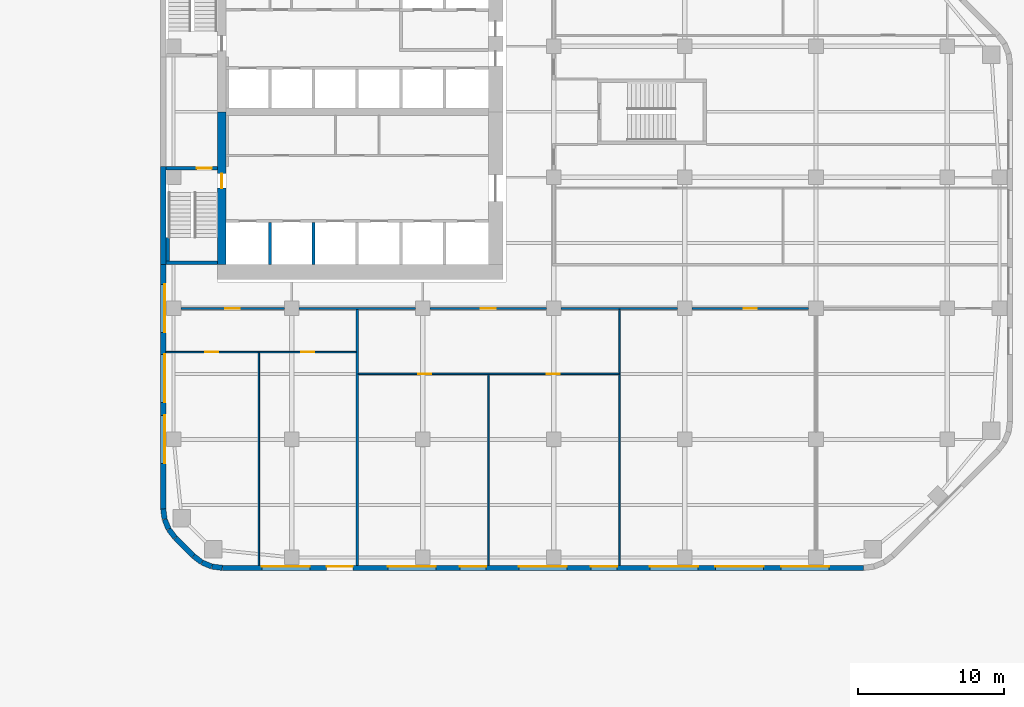
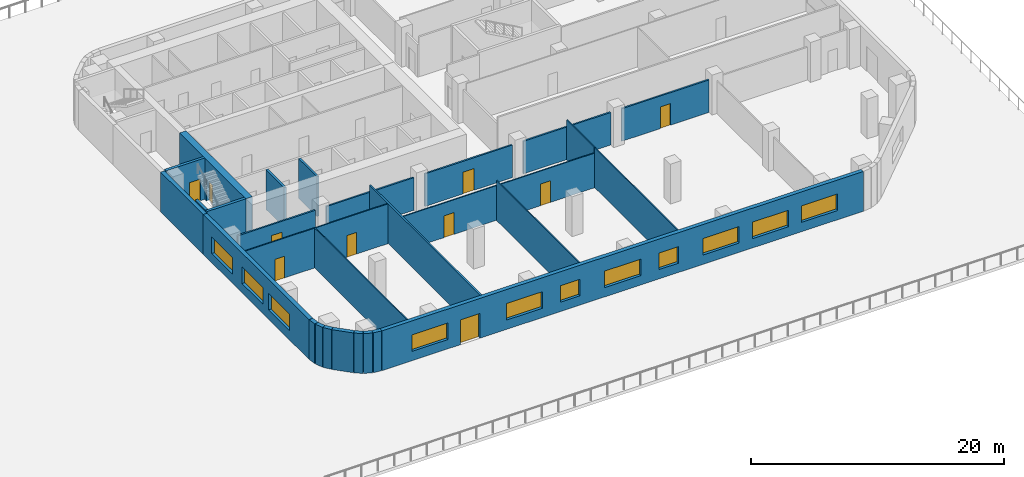
# One storey, part 9 of 18: 29 walls, 11 windows, 10 doors, 21 openings.
"""IFC4 building model written with IfcOpenShell, lengths in metres."""

from ifc_helpers import new_model, si_unit, direction, frame, frame_2d, origin, place, context, subcontext, project, spatial, rectangle, extrude, material, layer, layer_set, type_object, element, fill, save


model = new_model("IFC4")

# Units and contexts
model_context = context("Model", 3, precision=1e-05, world=origin(), true_north=direction((0.0, 1.0)))
body_context = subcontext(model_context, "Body", "Model", "MODEL_VIEW")
ifc_project = project(units=[si_unit("LENGTHUNIT", "METRE"), si_unit("AREAUNIT", "SQUARE_METRE"), si_unit("VOLUMEUNIT", "CUBIC_METRE"), si_unit("PLANEANGLEUNIT", "RADIAN"), si_unit("MASSUNIT", "GRAM", prefix="KILO")], contexts=[model_context])

# Site, building, storey
site_placement = place(None, origin())
site = spatial("IfcSite", under=ifc_project, at=site_placement, CompositionType="ELEMENT")
building_placement = place(site_placement, origin())
building = spatial("IfcBuilding", under=site, at=building_placement, Name="Cinnabar Reach Civic Tower", CompositionType="ELEMENT")
storey_placement = place(building_placement, frame((0.0, 0.0, 26.0)))
storey = spatial("IfcBuildingStorey", under=building, at=storey_placement, Name="L05", CompositionType="ELEMENT", Elevation=26.0)

# Walls
ifc_material_1 = material(Name="Facing brick with insulated backing", Category="masonry")
ifc_layer_1 = layer(ifc_material_1, 0.36)
ifc_layer_set_1 = layer_set([ifc_layer_1], Name="Brick corner wall")
wall_type_1 = type_object("IfcWallType", Name="Brick corner wall", PredefinedType="STANDARD", material=ifc_layer_set_1)
for number, where, z_axis, x_axis, name in (
    (1, (0.183, 4.2314, 0.0), (0.0, 0.0, 1.0), (0.13055608231, -0.99144092581, 0.0), "Brick corner wall"),
    (2, (0.2819, 3.5027, 0.0), (0.0, 0.0, 1.0), (0.382702709855, -0.923871547278, 0.0), "Brick corner wall"),
):
    element("IfcWall", number, at=place(storey_placement, frame(where, z_axis=z_axis, x_axis=x_axis)), inside=storey, type_object=wall_type_1, Name=name, PredefinedType="STANDARD", context=body_context, shape_type="SweptSolid", body=[
        extrude(rectangle(XDim=0.7131, YDim=0.36, at=frame_2d((0.3565, 0.0))), origin(), (0.0, 0.0, 1.0), 3.85),
    ])
for number, where, z_axis, x_axis, name in (
    (3, (0.566, 2.8245, 0.0), (0.0, 0.0, 1.0), (0.608802368033, -0.793321924995, 0.0), "Brick corner wall"),
    (4, (2.2587, 1.0002, 0.0), (0.0, 0.0, 1.0), (0.793321924995, -0.608802368033, 0.0), "Brick corner wall"),
):
    element("IfcWall", number, at=place(storey_placement, frame(where, z_axis=z_axis, x_axis=x_axis)), inside=storey, type_object=wall_type_1, Name=name, PredefinedType="STANDARD", context=body_context, shape_type="SweptSolid", body=[
        extrude(rectangle(XDim=0.7132, YDim=0.36, at=frame_2d((0.3566, 0.0))), origin(), (0.0, 0.0, 1.0), 3.85),
    ])
for number, where, z_axis, x_axis, name in (
    (5, (2.8439, 0.5548, 0.0), (0.0, 0.0, 1.0), (0.923871547278, -0.382702709855, 0.0), "Brick corner wall"),
    (6, (3.5244, 0.2761, 0.0), (0.0, 0.0, 1.0), (0.99144092581, -0.13055608231, 0.0), "Brick corner wall"),
):
    element("IfcWall", number, at=place(storey_placement, frame(where, z_axis=z_axis, x_axis=x_axis)), inside=storey, type_object=wall_type_1, Name=name, PredefinedType="STANDARD", context=body_context, shape_type="SweptSolid", body=[
        extrude(rectangle(XDim=0.7131, YDim=0.36, at=frame_2d((0.3565, 0.0))), origin(), (0.0, 0.0, 1.0), 3.85),
    ])

# Wall, openings, windows, door
ifc_layer_2 = layer(ifc_material_1, 0.36)
ifc_layer_set_2 = layer_set([ifc_layer_2], Name="Brick pier and spandrel wall")
wall_type_2 = type_object("IfcWallType", Name="Brick pier and spandrel wall", PredefinedType="STANDARD", material=ifc_layer_set_2)
wall_1_placement = place(storey_placement, frame((4.2426, 0.18, 0.0), z_axis=(0.0, 0.0, 1.0), x_axis=(1.0, 0.0, 0.0)))
wall_1 = element("IfcWall", 7, at=wall_1_placement, inside=storey, type_object=wall_type_2, Name="Brick facade wall", PredefinedType="STANDARD", context=body_context, shape_type="SweptSolid", body=[
    extrude(rectangle(XDim=44.0148, YDim=0.36, at=frame_2d((22.0074, 0.0))), origin(), (0.0, 0.0, 1.0), 3.85),
])
opening_1_placement = place(wall_1_placement, frame((2.7074, 0.0, 0.9)))
opening_1 = element("IfcOpeningElement", 8, at=opening_1_placement, cuts=wall_1, Name="Opening W1000", PredefinedType="OPENING", context=body_context, shape_type="SweptSolid", body=[
    extrude(rectangle(XDim=3.3, YDim=1.6, at=frame_2d((1.65, 0.8))), frame((0.0, 0.19, 0.0), z_axis=(0.0, -1.0, 0.0), x_axis=(1.0, 0.0, 0.0)), (0.0, 0.0, 1.0), 0.38),
])
opening_2_placement = place(wall_1_placement, frame((7.1574, 0.0, 0.0)))
opening_2 = element("IfcOpeningElement", 9, at=opening_2_placement, cuts=wall_1, Name="Opening D7500", PredefinedType="OPENING", context=body_context, shape_type="SweptSolid", body=[
    extrude(rectangle(XDim=1.8, YDim=2.4, at=frame_2d((0.9, 1.2))), frame((0.0, 0.19, 0.0), z_axis=(0.0, -1.0, 0.0), x_axis=(1.0, 0.0, 0.0)), (0.0, 0.0, 1.0), 0.38),
])
opening_3_placement = place(wall_1_placement, frame((11.3574, 0.0, 0.9)))
opening_3 = element("IfcOpeningElement", 10, at=opening_3_placement, cuts=wall_1, Name="Opening W1001", PredefinedType="OPENING", context=body_context, shape_type="SweptSolid", body=[
    extrude(rectangle(XDim=3.3, YDim=1.6, at=frame_2d((1.65, 0.8))), frame((0.0, 0.19, 0.0), z_axis=(0.0, -1.0, 0.0), x_axis=(1.0, 0.0, 0.0)), (0.0, 0.0, 1.0), 0.38),
])
opening_4_placement = place(wall_1_placement, frame((16.3074, 0.0, 0.9)))
opening_4 = element("IfcOpeningElement", 11, at=opening_4_placement, cuts=wall_1, Name="Opening W1002", PredefinedType="OPENING", context=body_context, shape_type="SweptSolid", body=[
    extrude(rectangle(XDim=1.8, YDim=1.6, at=frame_2d((0.9, 0.8))), frame((0.0, 0.19, 0.0), z_axis=(0.0, -1.0, 0.0), x_axis=(1.0, 0.0, 0.0)), (0.0, 0.0, 1.0), 0.38),
])
opening_5_placement = place(wall_1_placement, frame((20.3574, 0.0, 0.9)))
opening_5 = element("IfcOpeningElement", 12, at=opening_5_placement, cuts=wall_1, Name="Opening W1003", PredefinedType="OPENING", context=body_context, shape_type="SweptSolid", body=[
    extrude(rectangle(XDim=3.3, YDim=1.6, at=frame_2d((1.65, 0.8))), frame((0.0, 0.19, 0.0), z_axis=(0.0, -1.0, 0.0), x_axis=(1.0, 0.0, 0.0)), (0.0, 0.0, 1.0), 0.38),
])
opening_6_placement = place(wall_1_placement, frame((25.3074, 0.0, 0.9)))
opening_6 = element("IfcOpeningElement", 13, at=opening_6_placement, cuts=wall_1, Name="Opening W1004", PredefinedType="OPENING", context=body_context, shape_type="SweptSolid", body=[
    extrude(rectangle(XDim=1.8, YDim=1.6, at=frame_2d((0.9, 0.8))), frame((0.0, 0.19, 0.0), z_axis=(0.0, -1.0, 0.0), x_axis=(1.0, 0.0, 0.0)), (0.0, 0.0, 1.0), 0.38),
])
opening_7_placement = place(wall_1_placement, frame((29.3574, 0.0, 0.9)))
opening_7 = element("IfcOpeningElement", 14, at=opening_7_placement, cuts=wall_1, Name="Opening W1005", PredefinedType="OPENING", context=body_context, shape_type="SweptSolid", body=[
    extrude(rectangle(XDim=3.3, YDim=1.6, at=frame_2d((1.65, 0.8))), frame((0.0, 0.19, 0.0), z_axis=(0.0, -1.0, 0.0), x_axis=(1.0, 0.0, 0.0)), (0.0, 0.0, 1.0), 0.38),
])
opening_8_placement = place(wall_1_placement, frame((33.8574, 0.0, 0.9)))
opening_8 = element("IfcOpeningElement", 15, at=opening_8_placement, cuts=wall_1, Name="Opening W1006", PredefinedType="OPENING", context=body_context, shape_type="SweptSolid", body=[
    extrude(rectangle(XDim=3.3, YDim=1.6, at=frame_2d((1.65, 0.8))), frame((0.0, 0.19, 0.0), z_axis=(0.0, -1.0, 0.0), x_axis=(1.0, 0.0, 0.0)), (0.0, 0.0, 1.0), 0.38),
])
opening_9_placement = place(wall_1_placement, frame((38.3574, 0.0, 0.9)))
opening_9 = element("IfcOpeningElement", 16, at=opening_9_placement, cuts=wall_1, Name="Opening W1007", PredefinedType="OPENING", context=body_context, shape_type="SweptSolid", body=[
    extrude(rectangle(XDim=3.3, YDim=1.6, at=frame_2d((1.65, 0.8))), frame((0.0, 0.19, 0.0), z_axis=(0.0, -1.0, 0.0), x_axis=(1.0, 0.0, 0.0)), (0.0, 0.0, 1.0), 0.38),
])
ifc_material_2 = material(Name="Clear double glazing in aluminium frame", Category="aluminium")
window_type_1 = type_object("IfcWindowType", Name="Deep-set window A", PartitioningType="SINGLE_PANEL", PredefinedType="WINDOW", material=ifc_material_2)
window_1_placement = place(opening_1_placement, origin())
window_1 = element("IfcWindow", 17, at=window_1_placement, inside=storey, type_object=window_type_1, Name="Window south face", OverallHeight=1.6, OverallWidth=3.3, PartitioningType="SINGLE_PANEL", PredefinedType="WINDOW", context=body_context, shape_type="SweptSolid", body=[
    extrude(rectangle(XDim=3.3, YDim=1.6, at=frame_2d((1.65, 0.8))), frame((0.0, 0.13, 0.0), z_axis=(0.0, -1.0, 0.0), x_axis=(1.0, 0.0, 0.0)), (0.0, 0.0, 1.0), 0.06),
])
fill(opening_1, window_1)
window_2_placement = place(opening_3_placement, origin())
window_2 = element("IfcWindow", 18, at=window_2_placement, inside=storey, type_object=window_type_1, Name="Window south face", OverallHeight=1.6, OverallWidth=3.3, PartitioningType="SINGLE_PANEL", PredefinedType="WINDOW", context=body_context, shape_type="SweptSolid", body=[
    extrude(rectangle(XDim=3.3, YDim=1.6, at=frame_2d((1.65, 0.8))), frame((0.0, 0.13, 0.0), z_axis=(0.0, -1.0, 0.0), x_axis=(1.0, 0.0, 0.0)), (0.0, 0.0, 1.0), 0.06),
])
fill(opening_3, window_2)
window_3_placement = place(opening_5_placement, origin())
window_3 = element("IfcWindow", 19, at=window_3_placement, inside=storey, type_object=window_type_1, Name="Window south face", OverallHeight=1.6, OverallWidth=3.3, PartitioningType="SINGLE_PANEL", PredefinedType="WINDOW", context=body_context, shape_type="SweptSolid", body=[
    extrude(rectangle(XDim=3.3, YDim=1.6, at=frame_2d((1.65, 0.8))), frame((0.0, 0.13, 0.0), z_axis=(0.0, -1.0, 0.0), x_axis=(1.0, 0.0, 0.0)), (0.0, 0.0, 1.0), 0.06),
])
fill(opening_5, window_3)
window_4_placement = place(opening_7_placement, origin())
window_4 = element("IfcWindow", 20, at=window_4_placement, inside=storey, type_object=window_type_1, Name="Window south face", OverallHeight=1.6, OverallWidth=3.3, PartitioningType="SINGLE_PANEL", PredefinedType="WINDOW", context=body_context, shape_type="SweptSolid", body=[
    extrude(rectangle(XDim=3.3, YDim=1.6, at=frame_2d((1.65, 0.8))), frame((0.0, 0.13, 0.0), z_axis=(0.0, -1.0, 0.0), x_axis=(1.0, 0.0, 0.0)), (0.0, 0.0, 1.0), 0.06),
])
fill(opening_7, window_4)
window_5_placement = place(opening_8_placement, origin())
window_5 = element("IfcWindow", 21, at=window_5_placement, inside=storey, type_object=window_type_1, Name="Window south face", OverallHeight=1.6, OverallWidth=3.3, PartitioningType="SINGLE_PANEL", PredefinedType="WINDOW", context=body_context, shape_type="SweptSolid", body=[
    extrude(rectangle(XDim=3.3, YDim=1.6, at=frame_2d((1.65, 0.8))), frame((0.0, 0.13, 0.0), z_axis=(0.0, -1.0, 0.0), x_axis=(1.0, 0.0, 0.0)), (0.0, 0.0, 1.0), 0.06),
])
fill(opening_8, window_5)
window_6_placement = place(opening_9_placement, origin())
window_6 = element("IfcWindow", 22, at=window_6_placement, inside=storey, type_object=window_type_1, Name="Window south face", OverallHeight=1.6, OverallWidth=3.3, PartitioningType="SINGLE_PANEL", PredefinedType="WINDOW", context=body_context, shape_type="SweptSolid", body=[
    extrude(rectangle(XDim=3.3, YDim=1.6, at=frame_2d((1.65, 0.8))), frame((0.0, 0.13, 0.0), z_axis=(0.0, -1.0, 0.0), x_axis=(1.0, 0.0, 0.0)), (0.0, 0.0, 1.0), 0.06),
])
fill(opening_9, window_6)
window_type_2 = type_object("IfcWindowType", Name="Deep-set window D", PartitioningType="SINGLE_PANEL", PredefinedType="WINDOW", material=ifc_material_2)
window_7_placement = place(opening_4_placement, origin())
window_7 = element("IfcWindow", 23, at=window_7_placement, inside=storey, type_object=window_type_2, Name="Window south face", OverallHeight=1.6, OverallWidth=1.8, PartitioningType="SINGLE_PANEL", PredefinedType="WINDOW", context=body_context, shape_type="SweptSolid", body=[
    extrude(rectangle(XDim=1.8, YDim=1.6, at=frame_2d((0.9, 0.8))), frame((0.0, 0.13, 0.0), z_axis=(0.0, -1.0, 0.0), x_axis=(1.0, 0.0, 0.0)), (0.0, 0.0, 1.0), 0.06),
])
fill(opening_4, window_7)
window_8_placement = place(opening_6_placement, origin())
window_8 = element("IfcWindow", 24, at=window_8_placement, inside=storey, type_object=window_type_2, Name="Window south face", OverallHeight=1.6, OverallWidth=1.8, PartitioningType="SINGLE_PANEL", PredefinedType="WINDOW", context=body_context, shape_type="SweptSolid", body=[
    extrude(rectangle(XDim=1.8, YDim=1.6, at=frame_2d((0.9, 0.8))), frame((0.0, 0.13, 0.0), z_axis=(0.0, -1.0, 0.0), x_axis=(1.0, 0.0, 0.0)), (0.0, 0.0, 1.0), 0.06),
])
fill(opening_6, window_8)
ifc_material_3 = material(Name="Clear glazing in aluminium frame", Category="aluminium")
door_type_1 = type_object("IfcDoorType", Name="Facade terrace double door", OperationType="SINGLE_SWING_LEFT", PredefinedType="DOOR", material=ifc_material_3)
door_1_placement = place(opening_2_placement, frame((1.8, 0.0, 0.0), z_axis=(0.0, 0.0, 1.0), x_axis=(-1.0, 0.0, 0.0)))
door_1 = element("IfcDoor", 25, at=door_1_placement, inside=storey, type_object=door_type_1, Name="Terrace door", OperationType="DOUBLE_DOOR_SINGLE_SWING", OverallHeight=2.4, OverallWidth=1.8, PredefinedType="DOOR", context=body_context, shape_type="SweptSolid", body=[
    extrude(rectangle(XDim=1.8, YDim=2.4, at=frame_2d((0.9, 1.2))), frame((0.0, -0.07, 0.0), z_axis=(0.0, -1.0, 0.0), x_axis=(1.0, 0.0, 0.0)), (0.0, 0.0, 1.0), 0.05),
])
fill(opening_2, door_1)

# Wall
wall_2_placement = place(storey_placement, frame((0.18, 27.75, 0.0), z_axis=(0.0, 0.0, 1.0), x_axis=(0.0, -1.0, 0.0)))
element("IfcWall", 26, at=wall_2_placement, inside=storey, type_object=wall_type_2, Name="Brick facade wall", PredefinedType="STANDARD", context=body_context, shape_type="SweptSolid", body=[
    extrude(rectangle(XDim=6.75, YDim=0.36, at=frame_2d((3.375, 0.0))), origin(), (0.0, 0.0, 1.0), 3.85),
])

# Wall, openings, windows
wall_3_placement = place(storey_placement, frame((0.18, 21.0, 0.0), z_axis=(0.0, 0.0, 1.0), x_axis=(0.0, -1.0, 0.0)))
wall_3 = element("IfcWall", 27, at=wall_3_placement, inside=storey, type_object=wall_type_2, Name="Brick facade wall", PredefinedType="STANDARD", context=body_context, shape_type="SweptSolid", body=[
    extrude(rectangle(XDim=16.7574, YDim=0.36, at=frame_2d((8.3787, 0.0))), origin(), (0.0, 0.0, 1.0), 3.85),
])
opening_10_placement = place(wall_3_placement, frame((1.35, 0.0, 0.9)))
opening_10 = element("IfcOpeningElement", 28, at=opening_10_placement, cuts=wall_3, Name="Opening W1021", PredefinedType="OPENING", context=body_context, shape_type="SweptSolid", body=[
    extrude(rectangle(XDim=3.3, YDim=1.6, at=frame_2d((1.65, 0.8))), frame((0.0, 0.19, 0.0), z_axis=(0.0, -1.0, 0.0), x_axis=(1.0, 0.0, 0.0)), (0.0, 0.0, 1.0), 0.38),
])
opening_11_placement = place(wall_3_placement, frame((6.15, 0.0, 0.9)))
opening_11 = element("IfcOpeningElement", 29, at=opening_11_placement, cuts=wall_3, Name="Opening W1022", PredefinedType="OPENING", context=body_context, shape_type="SweptSolid", body=[
    extrude(rectangle(XDim=3.3, YDim=1.6, at=frame_2d((1.65, 0.8))), frame((0.0, 0.19, 0.0), z_axis=(0.0, -1.0, 0.0), x_axis=(1.0, 0.0, 0.0)), (0.0, 0.0, 1.0), 0.38),
])
opening_12_placement = place(wall_3_placement, frame((10.35, 0.0, 0.9)))
opening_12 = element("IfcOpeningElement", 30, at=opening_12_placement, cuts=wall_3, Name="Opening W1023", PredefinedType="OPENING", context=body_context, shape_type="SweptSolid", body=[
    extrude(rectangle(XDim=3.3, YDim=1.6, at=frame_2d((1.65, 0.8))), frame((0.0, 0.19, 0.0), z_axis=(0.0, -1.0, 0.0), x_axis=(1.0, 0.0, 0.0)), (0.0, 0.0, 1.0), 0.38),
])
window_9_placement = place(opening_10_placement, origin())
window_9 = element("IfcWindow", 31, at=window_9_placement, inside=storey, type_object=window_type_1, Name="Window west face", OverallHeight=1.6, OverallWidth=3.3, PartitioningType="SINGLE_PANEL", PredefinedType="WINDOW", context=body_context, shape_type="SweptSolid", body=[
    extrude(rectangle(XDim=3.3, YDim=1.6, at=frame_2d((1.65, 0.8))), frame((0.0, 0.13, 0.0), z_axis=(0.0, -1.0, 0.0), x_axis=(1.0, 0.0, 0.0)), (0.0, 0.0, 1.0), 0.06),
])
fill(opening_10, window_9)
window_10_placement = place(opening_11_placement, origin())
window_10 = element("IfcWindow", 32, at=window_10_placement, inside=storey, type_object=window_type_1, Name="Window west face", OverallHeight=1.6, OverallWidth=3.3, PartitioningType="SINGLE_PANEL", PredefinedType="WINDOW", context=body_context, shape_type="SweptSolid", body=[
    extrude(rectangle(XDim=3.3, YDim=1.6, at=frame_2d((1.65, 0.8))), frame((0.0, 0.13, 0.0), z_axis=(0.0, -1.0, 0.0), x_axis=(1.0, 0.0, 0.0)), (0.0, 0.0, 1.0), 0.06),
])
fill(opening_11, window_10)
window_11_placement = place(opening_12_placement, origin())
window_11 = element("IfcWindow", 33, at=window_11_placement, inside=storey, type_object=window_type_1, Name="Window west face", OverallHeight=1.6, OverallWidth=3.3, PartitioningType="SINGLE_PANEL", PredefinedType="WINDOW", context=body_context, shape_type="SweptSolid", body=[
    extrude(rectangle(XDim=3.3, YDim=1.6, at=frame_2d((1.65, 0.8))), frame((0.0, 0.13, 0.0), z_axis=(0.0, -1.0, 0.0), x_axis=(1.0, 0.0, 0.0)), (0.0, 0.0, 1.0), 0.06),
])
fill(opening_12, window_11)

# Wall
wall_4_placement = place(storey_placement, frame((1.006, 2.2486, 0.0), z_axis=(0.0, 0.0, 1.0), x_axis=(0.707106781187, -0.707106781187, 0.0)))
element("IfcWall", 34, at=wall_4_placement, inside=storey, type_object=wall_type_2, Name="Brick facade wall", PredefinedType="STANDARD", context=body_context, shape_type="SweptSolid", body=[
    extrude(rectangle(XDim=1.7573, YDim=0.36, at=frame_2d((0.8787, 0.0))), origin(), (0.0, 0.0, 1.0), 3.85),
])

# Wall, opening, door
ifc_material_4 = material(Name="Concrete C70", Category="concrete")
ifc_layer_3 = layer(ifc_material_4, 0.6)
ifc_layer_set_3 = layer_set([ifc_layer_3], Name="Core wall 600 EI 180")
wall_type_3 = type_object("IfcWallType", Name="Core wall 600 EI 180", PredefinedType="SOLIDWALL", material=ifc_layer_set_3)
wall_5_placement = place(storey_placement, frame((4.2, 31.5, 0.0), z_axis=(0.0, 0.0, 1.0), x_axis=(0.0, -1.0, 0.0)))
wall_5 = element("IfcWall", 35, at=wall_5_placement, inside=storey, type_object=wall_type_3, Name="Core wall T1 L05 W2", PredefinedType="SOLIDWALL", context=body_context, shape_type="SweptSolid", body=[
    extrude(rectangle(XDim=10.5, YDim=0.6, at=frame_2d((5.25, 0.0))), origin(), (0.0, 0.0, 1.0), 4.0),
])
opening_13_placement = place(wall_5_placement, frame((4.25, 0.0, 0.0)))
opening_13 = element("IfcOpeningElement", 36, at=opening_13_placement, cuts=wall_5, Name="Opening D3190", PredefinedType="OPENING", context=body_context, shape_type="SweptSolid", body=[
    extrude(rectangle(XDim=1.0, YDim=2.1, at=frame_2d((0.5, 1.05))), frame((0.0, 0.31, 0.0), z_axis=(0.0, -1.0, 0.0), x_axis=(1.0, 0.0, 0.0)), (0.0, 0.0, 1.0), 0.62),
])
ifc_material_5 = material(Name="Timber door leaf in steel frame", Category="steel")
door_type_2 = type_object("IfcDoorType", Name="Stair door 1000 x 2100 T1", OperationType="SINGLE_SWING_LEFT", PredefinedType="DOOR", material=ifc_material_5)
door_2_placement = place(opening_13_placement, frame((1.0, 0.0, 0.0), z_axis=(0.0, 0.0, 1.0), x_axis=(-1.0, 0.0, 0.0)))
door_2 = element("IfcDoor", 37, at=door_2_placement, inside=storey, type_object=door_type_2, Name="Door D3190", OperationType="SINGLE_SWING_RIGHT", OverallHeight=2.1, OverallWidth=1.0, PredefinedType="DOOR", context=body_context, shape_type="SweptSolid", body=[
    extrude(rectangle(XDim=1.0, YDim=2.1, at=frame_2d((0.5, 1.05))), frame((0.0, 0.025, 0.0), z_axis=(0.0, -1.0, 0.0), x_axis=(1.0, 0.0, 0.0)), (0.0, 0.0, 1.0), 0.05),
])
fill(opening_13, door_2)

ifc_material_6 = material(Name="Gypsum board on steel studs, double layer", Category="steel")
ifc_layer_4 = layer(ifc_material_6, 0.15)
ifc_layer_set_4 = layer_set([ifc_layer_4], Name="Corridor wall 150 T1")
wall_type_4 = type_object("IfcWallType", Name="Corridor wall 150 T1", PredefinedType="PARTITIONING", material=ifc_layer_set_4)
wall_6_placement = place(storey_placement, frame((36.5, 18.0, 0.0), z_axis=(0.0, 0.0, 1.0), x_axis=(1.0, 0.0, 0.0)))
wall_6 = element("IfcWall", 38, at=wall_6_placement, inside=storey, type_object=wall_type_4, Name="Corridor wall 21", PredefinedType="PARTITIONING", context=body_context, shape_type="SweptSolid", body=[
    extrude(rectangle(XDim=8.0, YDim=0.15, at=frame_2d((4.0, 0.0))), origin(), (0.0, 0.0, 1.0), 3.15),
])
opening_14_placement = place(wall_6_placement, frame((3.55, 0.0, 0.0)))
opening_14 = element("IfcOpeningElement", 39, at=opening_14_placement, cuts=wall_6, Name="Opening D3229", PredefinedType="OPENING", context=body_context, shape_type="SweptSolid", body=[
    extrude(rectangle(XDim=0.9, YDim=2.1, at=frame_2d((0.45, 1.05))), frame((0.0, 0.085, 0.0), z_axis=(0.0, -1.0, 0.0), x_axis=(1.0, 0.0, 0.0)), (0.0, 0.0, 1.0), 0.17),
])
door_type_3 = type_object("IfcDoorType", Name="Single swing door 900 x 2100 corridor T1", OperationType="SINGLE_SWING_LEFT", PredefinedType="DOOR", material=ifc_material_5)
door_3_placement = place(opening_14_placement, frame((0.9, 0.0, 0.0), z_axis=(0.0, 0.0, 1.0), x_axis=(-1.0, 0.0, 0.0)))
door_3 = element("IfcDoor", 40, at=door_3_placement, inside=storey, type_object=door_type_3, Name="Door D3229", OperationType="SINGLE_SWING_LEFT", OverallHeight=2.1, OverallWidth=0.9, PredefinedType="DOOR", context=body_context, shape_type="SweptSolid", body=[
    extrude(rectangle(XDim=0.9, YDim=2.1, at=frame_2d((0.45, 1.05))), frame((0.0, 0.025, 0.0), z_axis=(0.0, -1.0, 0.0), x_axis=(1.0, 0.0, 0.0)), (0.0, 0.0, 1.0), 0.05),
])
fill(opening_14, door_3)

# Wall
wall_7_placement = place(storey_placement, frame((27.5, 18.0, 0.0), z_axis=(0.0, 0.0, 1.0), x_axis=(1.0, 0.0, 0.0)))
element("IfcWall", 41, at=wall_7_placement, inside=storey, type_object=wall_type_4, Name="Corridor wall 22", PredefinedType="PARTITIONING", context=body_context, shape_type="SweptSolid", body=[
    extrude(rectangle(XDim=8.0, YDim=0.15, at=frame_2d((4.0, 0.0))), origin(), (0.0, 0.0, 1.0), 3.15),
])

# Wall, opening, door
wall_8_placement = place(storey_placement, frame((18.5, 18.0, 0.0), z_axis=(0.0, 0.0, 1.0), x_axis=(1.0, 0.0, 0.0)))
wall_8 = element("IfcWall", 42, at=wall_8_placement, inside=storey, type_object=wall_type_4, Name="Corridor wall 23", PredefinedType="PARTITIONING", context=body_context, shape_type="SweptSolid", body=[
    extrude(rectangle(XDim=8.0, YDim=0.15, at=frame_2d((4.0, 0.0))), origin(), (0.0, 0.0, 1.0), 3.15),
])
opening_15_placement = place(wall_8_placement, frame((3.5, 0.0, 0.0)))
opening_15 = element("IfcOpeningElement", 43, at=opening_15_placement, cuts=wall_8, Name="Opening D3226", PredefinedType="OPENING", context=body_context, shape_type="SweptSolid", body=[
    extrude(rectangle(XDim=1.0, YDim=2.1, at=frame_2d((0.5, 1.05))), frame((0.0, 0.085, 0.0), z_axis=(0.0, -1.0, 0.0), x_axis=(1.0, 0.0, 0.0)), (0.0, 0.0, 1.0), 0.17),
])
door_type_4 = type_object("IfcDoorType", Name="Tenancy entrance door 1000 x 2100 T1", OperationType="SINGLE_SWING_LEFT", PredefinedType="DOOR", material=ifc_material_5)
door_4_placement = place(opening_15_placement, frame((1.0, 0.0, 0.0), z_axis=(0.0, 0.0, 1.0), x_axis=(-1.0, 0.0, 0.0)))
door_4 = element("IfcDoor", 44, at=door_4_placement, inside=storey, type_object=door_type_4, Name="Door D3226", OperationType="SINGLE_SWING_RIGHT", OverallHeight=2.1, OverallWidth=1.0, PredefinedType="DOOR", context=body_context, shape_type="SweptSolid", body=[
    extrude(rectangle(XDim=1.0, YDim=2.1, at=frame_2d((0.5, 1.05))), frame((0.0, 0.025, 0.0), z_axis=(0.0, -1.0, 0.0), x_axis=(1.0, 0.0, 0.0)), (0.0, 0.0, 1.0), 0.05),
])
fill(opening_15, door_4)

# Wall
wall_9_placement = place(storey_placement, frame((9.5, 18.0, 0.0), z_axis=(0.0, 0.0, 1.0), x_axis=(1.0, 0.0, 0.0)))
element("IfcWall", 45, at=wall_9_placement, inside=storey, type_object=wall_type_4, Name="Corridor wall 24", PredefinedType="PARTITIONING", context=body_context, shape_type="SweptSolid", body=[
    extrude(rectangle(XDim=8.0, YDim=0.15, at=frame_2d((4.0, 0.0))), origin(), (0.0, 0.0, 1.0), 3.15),
])

# Wall, opening, door
wall_10_placement = place(storey_placement, frame((1.4, 18.0, 0.0), z_axis=(0.0, 0.0, 1.0), x_axis=(1.0, 0.0, 0.0)))
wall_10 = element("IfcWall", 46, at=wall_10_placement, inside=storey, type_object=wall_type_4, Name="Corridor wall 25", PredefinedType="PARTITIONING", context=body_context, shape_type="SweptSolid", body=[
    extrude(rectangle(XDim=7.1, YDim=0.15, at=frame_2d((3.55, 0.0))), origin(), (0.0, 0.0, 1.0), 3.15),
])
opening_16_placement = place(wall_10_placement, frame((3.05, 0.0, 0.0)))
opening_16 = element("IfcOpeningElement", 47, at=opening_16_placement, cuts=wall_10, Name="Opening D3223", PredefinedType="OPENING", context=body_context, shape_type="SweptSolid", body=[
    extrude(rectangle(XDim=1.0, YDim=2.1, at=frame_2d((0.5, 1.05))), frame((0.0, 0.085, 0.0), z_axis=(0.0, -1.0, 0.0), x_axis=(1.0, 0.0, 0.0)), (0.0, 0.0, 1.0), 0.17),
])
door_5_placement = place(opening_16_placement, frame((1.0, 0.0, 0.0), z_axis=(0.0, 0.0, 1.0), x_axis=(-1.0, 0.0, 0.0)))
door_5 = element("IfcDoor", 48, at=door_5_placement, inside=storey, type_object=door_type_4, Name="Door D3223", OperationType="SINGLE_SWING_RIGHT", OverallHeight=2.1, OverallWidth=1.0, PredefinedType="DOOR", context=body_context, shape_type="SweptSolid", body=[
    extrude(rectangle(XDim=1.0, YDim=2.1, at=frame_2d((0.5, 1.05))), frame((0.0, 0.025, 0.0), z_axis=(0.0, -1.0, 0.0), x_axis=(1.0, 0.0, 0.0)), (0.0, 0.0, 1.0), 0.05),
])
fill(opening_16, door_5)

# Walls
ifc_material_7 = material(Name="Blockwork", Category="masonry")
ifc_layer_5 = layer(ifc_material_7, 0.2)
ifc_layer_set_5 = layer_set([ifc_layer_5], Name="Lift shaft wall 200 T1")
wall_type_5 = type_object("IfcWallType", Name="Lift shaft wall 200 T1", PredefinedType="PARTITIONING", material=ifc_layer_set_5)
for number, where, z_axis, x_axis, name in (
    (49, (7.5, 21.0, 0.0), (0.0, 0.0, 1.0), (0.0, 1.0, 0.0), "Lift shaft wall 9"),
    (50, (10.5, 21.0, 0.0), (0.0, 0.0, 1.0), (0.0, 1.0, 0.0), "Lift shaft wall 11"),
):
    element("IfcWall", number, at=place(storey_placement, frame(where, z_axis=z_axis, x_axis=x_axis)), inside=storey, type_object=wall_type_5, Name=name, PredefinedType="PARTITIONING", context=body_context, shape_type="SweptSolid", body=[
        extrude(rectangle(XDim=2.9, YDim=0.2, at=frame_2d((1.45, 0.0))), origin(), (0.0, 0.0, 1.0), 3.85),
    ])

# Wall, openings, doors
ifc_material_8 = material(Name="Gypsum board on steel studs", Category="steel")
ifc_layer_6 = layer(ifc_material_8, 0.1)
ifc_layer_set_6 = layer_set([ifc_layer_6], Name="Partition wall 100 T1")
wall_type_6 = type_object("IfcWallType", Name="Partition wall 100 T1", PredefinedType="PARTITIONING", material=ifc_layer_set_6)
wall_11_placement = place(storey_placement, frame((13.575, 13.5, 0.0), z_axis=(0.0, 0.0, 1.0), x_axis=(1.0, 0.0, 0.0)))
wall_11 = element("IfcWall", 51, at=wall_11_placement, inside=storey, type_object=wall_type_6, Name="Partition wall 44", PredefinedType="PARTITIONING", context=body_context, shape_type="SweptSolid", body=[
    extrude(rectangle(XDim=17.975, YDim=0.1, at=frame_2d((8.9875, 0.0))), origin(), (0.0, 0.0, 1.0), 3.35),
])
opening_17_placement = place(wall_11_placement, frame((4.1, 0.0, 0.0)))
opening_17 = element("IfcOpeningElement", 52, at=opening_17_placement, cuts=wall_11, Name="Opening D3227", PredefinedType="OPENING", context=body_context, shape_type="SweptSolid", body=[
    extrude(rectangle(XDim=0.9, YDim=2.1, at=frame_2d((0.45, 1.05))), frame((0.0, 0.06, 0.0), z_axis=(0.0, -1.0, 0.0), x_axis=(1.0, 0.0, 0.0)), (0.0, 0.0, 1.0), 0.12),
])
opening_18_placement = place(wall_11_placement, frame((12.925, 0.0, 0.0)))
opening_18 = element("IfcOpeningElement", 53, at=opening_18_placement, cuts=wall_11, Name="Opening D3228", PredefinedType="OPENING", context=body_context, shape_type="SweptSolid", body=[
    extrude(rectangle(XDim=0.9, YDim=2.1, at=frame_2d((0.45, 1.05))), frame((0.0, 0.06, 0.0), z_axis=(0.0, -1.0, 0.0), x_axis=(1.0, 0.0, 0.0)), (0.0, 0.0, 1.0), 0.12),
])
door_type_5 = type_object("IfcDoorType", Name="Single swing door 900 x 2100 T1", OperationType="SINGLE_SWING_LEFT", PredefinedType="DOOR", material=ifc_material_5)
door_6_placement = place(opening_17_placement, origin())
door_6 = element("IfcDoor", 54, at=door_6_placement, inside=storey, type_object=door_type_5, Name="Door D3227", OperationType="SINGLE_SWING_LEFT", OverallHeight=2.1, OverallWidth=0.9, PredefinedType="DOOR", context=body_context, shape_type="SweptSolid", body=[
    extrude(rectangle(XDim=0.9, YDim=2.1, at=frame_2d((0.45, 1.05))), frame((0.0, 0.025, 0.0), z_axis=(0.0, -1.0, 0.0), x_axis=(1.0, 0.0, 0.0)), (0.0, 0.0, 1.0), 0.05),
])
fill(opening_17, door_6)
door_7_placement = place(opening_18_placement, origin())
door_7 = element("IfcDoor", 55, at=door_7_placement, inside=storey, type_object=door_type_5, Name="Door D3228", OperationType="SINGLE_SWING_LEFT", OverallHeight=2.1, OverallWidth=0.9, PredefinedType="DOOR", context=body_context, shape_type="SweptSolid", body=[
    extrude(rectangle(XDim=0.9, YDim=2.1, at=frame_2d((0.45, 1.05))), frame((0.0, 0.025, 0.0), z_axis=(0.0, -1.0, 0.0), x_axis=(1.0, 0.0, 0.0)), (0.0, 0.0, 1.0), 0.05),
])
fill(opening_18, door_7)

# Walls
wall_12_placement = place(storey_placement, frame((31.5, 13.55, 0.0), z_axis=(0.0, 0.0, 1.0), x_axis=(0.0, 1.0, 0.0)))
element("IfcWall", 56, at=wall_12_placement, inside=storey, type_object=wall_type_6, Name="Partition wall 45", PredefinedType="PARTITIONING", context=body_context, shape_type="SweptSolid", body=[
    extrude(rectangle(XDim=4.375, YDim=0.1, at=frame_2d((2.1875, 0.0))), origin(), (0.0, 0.0, 1.0), 3.85),
])
wall_13_placement = place(storey_placement, frame((31.5, 0.36, 0.0), z_axis=(0.0, 0.0, 1.0), x_axis=(0.0, 1.0, 0.0)))
element("IfcWall", 57, at=wall_13_placement, inside=storey, type_object=wall_type_6, Name="Partition wall 46", PredefinedType="PARTITIONING", context=body_context, shape_type="SweptSolid", body=[
    extrude(rectangle(XDim=13.09, YDim=0.1, at=frame_2d((6.545, 0.0))), origin(), (0.0, 0.0, 1.0), 3.85),
])
wall_14_placement = place(storey_placement, frame((6.75, 0.36, 0.0), z_axis=(0.0, 0.0, 1.0), x_axis=(0.0, 1.0, 0.0)))
element("IfcWall", 58, at=wall_14_placement, inside=storey, type_object=wall_type_6, Name="Partition wall 49", PredefinedType="PARTITIONING", context=body_context, shape_type="SweptSolid", body=[
    extrude(rectangle(XDim=14.69, YDim=0.1, at=frame_2d((7.345, 0.0))), origin(), (0.0, 0.0, 1.0), 3.85),
])

# Wall, opening, door
wall_15_placement = place(storey_placement, frame((6.8, 15.0, 0.0), z_axis=(0.0, 0.0, 1.0), x_axis=(1.0, 0.0, 0.0)))
wall_15 = element("IfcWall", 59, at=wall_15_placement, inside=storey, type_object=wall_type_6, Name="Partition wall 50", PredefinedType="PARTITIONING", context=body_context, shape_type="SweptSolid", body=[
    extrude(rectangle(XDim=6.625, YDim=0.1, at=frame_2d((3.3125, 0.0))), origin(), (0.0, 0.0, 1.0), 3.85),
])
opening_19_placement = place(wall_15_placement, frame((2.85, 0.0, 0.0)))
opening_19 = element("IfcOpeningElement", 60, at=opening_19_placement, cuts=wall_15, Name="Opening D3225", PredefinedType="OPENING", context=body_context, shape_type="SweptSolid", body=[
    extrude(rectangle(XDim=0.9, YDim=2.1, at=frame_2d((0.45, 1.05))), frame((0.0, 0.06, 0.0), z_axis=(0.0, -1.0, 0.0), x_axis=(1.0, 0.0, 0.0)), (0.0, 0.0, 1.0), 0.12),
])
door_8_placement = place(opening_19_placement, origin())
door_8 = element("IfcDoor", 61, at=door_8_placement, inside=storey, type_object=door_type_5, Name="Door D3225", OperationType="SINGLE_SWING_RIGHT", OverallHeight=2.1, OverallWidth=0.9, PredefinedType="DOOR", context=body_context, shape_type="SweptSolid", body=[
    extrude(rectangle(XDim=0.9, YDim=2.1, at=frame_2d((0.45, 1.05))), frame((0.0, 0.025, 0.0), z_axis=(0.0, -1.0, 0.0), x_axis=(1.0, 0.0, 0.0)), (0.0, 0.0, 1.0), 0.05),
])
fill(opening_19, door_8)

wall_16_placement = place(storey_placement, frame((0.36, 15.0, 0.0), z_axis=(0.0, 0.0, 1.0), x_axis=(1.0, 0.0, 0.0)))
wall_16 = element("IfcWall", 62, at=wall_16_placement, inside=storey, type_object=wall_type_6, Name="Partition wall 51", PredefinedType="PARTITIONING", context=body_context, shape_type="SweptSolid", body=[
    extrude(rectangle(XDim=6.34, YDim=0.1, at=frame_2d((3.17, 0.0))), origin(), (0.0, 0.0, 1.0), 3.85),
])
opening_20_placement = place(wall_16_placement, frame((2.7, 0.0, 0.0)))
opening_20 = element("IfcOpeningElement", 63, at=opening_20_placement, cuts=wall_16, Name="Opening D3224", PredefinedType="OPENING", context=body_context, shape_type="SweptSolid", body=[
    extrude(rectangle(XDim=0.9, YDim=2.1, at=frame_2d((0.45, 1.05))), frame((0.0, 0.06, 0.0), z_axis=(0.0, -1.0, 0.0), x_axis=(1.0, 0.0, 0.0)), (0.0, 0.0, 1.0), 0.12),
])
door_9_placement = place(opening_20_placement, origin())
door_9 = element("IfcDoor", 64, at=door_9_placement, inside=storey, type_object=door_type_5, Name="Door D3224", OperationType="SINGLE_SWING_RIGHT", OverallHeight=2.1, OverallWidth=0.9, PredefinedType="DOOR", context=body_context, shape_type="SweptSolid", body=[
    extrude(rectangle(XDim=0.9, YDim=2.1, at=frame_2d((0.45, 1.05))), frame((0.0, 0.025, 0.0), z_axis=(0.0, -1.0, 0.0), x_axis=(1.0, 0.0, 0.0)), (0.0, 0.0, 1.0), 0.05),
])
fill(opening_20, door_9)

# Walls
wall_17_placement = place(storey_placement, frame((22.5, 0.36, 0.0), z_axis=(0.0, 0.0, 1.0), x_axis=(0.0, 1.0, 0.0)))
element("IfcWall", 65, at=wall_17_placement, inside=storey, type_object=wall_type_6, Name="Partition wall 52", PredefinedType="PARTITIONING", context=body_context, shape_type="SweptSolid", body=[
    extrude(rectangle(XDim=13.09, YDim=0.1, at=frame_2d((6.545, 0.0))), origin(), (0.0, 0.0, 1.0), 3.85),
])
ifc_material_9 = material(Name="Concrete C60", Category="concrete")
ifc_layer_7 = layer(ifc_material_9, 0.25)
ifc_layer_set_7 = layer_set([ifc_layer_7], Name="Stair shaft wall 250 EI 120")
wall_type_7 = type_object("IfcWallType", Name="Stair shaft wall 250 EI 120", PredefinedType="SOLIDWALL", material=ifc_layer_set_7)
wall_18_placement = place(storey_placement, frame((0.36, 21.125, 0.0), z_axis=(0.0, 0.0, 1.0), x_axis=(1.0, 0.0, 0.0)))
element("IfcWall", 66, at=wall_18_placement, inside=storey, type_object=wall_type_7, Name="Stair shaft wall T1-S1 L05", PredefinedType="SOLIDWALL", context=body_context, shape_type="SweptSolid", body=[
    extrude(rectangle(XDim=3.54, YDim=0.25, at=frame_2d((1.77, 0.0))), origin(), (0.0, 0.0, 1.0), 4.0),
])

# Wall, opening, door
wall_19_placement = place(storey_placement, frame((3.9, 27.625, 0.0), z_axis=(0.0, 0.0, 1.0), x_axis=(-1.0, 0.0, 0.0)))
wall_19 = element("IfcWall", 67, at=wall_19_placement, inside=storey, type_object=wall_type_7, Name="Stair shaft wall T1-S1 L05", PredefinedType="SOLIDWALL", context=body_context, shape_type="SweptSolid", body=[
    extrude(rectangle(XDim=3.54, YDim=0.25, at=frame_2d((1.77, 0.0))), origin(), (0.0, 0.0, 1.0), 4.0),
])
opening_21_placement = place(wall_19_placement, frame((0.4, 0.0, 0.0)))
opening_21 = element("IfcOpeningElement", 68, at=opening_21_placement, cuts=wall_19, Name="Opening D3191", PredefinedType="OPENING", context=body_context, shape_type="SweptSolid", body=[
    extrude(rectangle(XDim=1.0, YDim=2.1, at=frame_2d((0.5, 1.05))), frame((0.0, 0.135, 0.0), z_axis=(0.0, -1.0, 0.0), x_axis=(1.0, 0.0, 0.0)), (0.0, 0.0, 1.0), 0.27),
])
door_10_placement = place(opening_21_placement, origin())
door_10 = element("IfcDoor", 69, at=door_10_placement, inside=storey, type_object=door_type_2, Name="Door D3191", OperationType="SINGLE_SWING_LEFT", OverallHeight=2.1, OverallWidth=1.0, PredefinedType="DOOR", context=body_context, shape_type="SweptSolid", body=[
    extrude(rectangle(XDim=1.0, YDim=2.1, at=frame_2d((0.5, 1.05))), frame((0.0, 0.025, 0.0), z_axis=(0.0, -1.0, 0.0), x_axis=(1.0, 0.0, 0.0)), (0.0, 0.0, 1.0), 0.05),
])
fill(opening_21, door_10)

# Walls
ifc_material_10 = material(Name="Concrete C40/50", Category="concrete")
ifc_layer_8 = layer(ifc_material_10, 0.24)
ifc_layer_set_8 = layer_set([ifc_layer_8], Name="T1 landing bearer wall 240")
wall_type_8 = type_object("IfcWallType", Name="T1 landing bearer wall 240", PredefinedType="STANDARD", material=ifc_layer_set_8)
wall_20_placement = place(storey_placement, frame((0.48, 21.25, 0.0), z_axis=(0.0, 0.0, 1.0), x_axis=(0.0, 1.0, 0.0)))
element("IfcWall", 70, at=wall_20_placement, inside=storey, type_object=wall_type_8, Name="T1-S1 landing bearer wall", PredefinedType="STANDARD", context=body_context, shape_type="SweptSolid", body=[
    extrude(rectangle(XDim=1.62, YDim=0.24, at=frame_2d((0.81, 0.0))), origin(), (0.0, 0.0, 1.0), 4.0),
])
ifc_layer_9 = layer(ifc_material_6, 0.15)
ifc_layer_set_9 = layer_set([ifc_layer_9], Name="Tenancy separating wall 150 T1")
wall_type_9 = type_object("IfcWallType", Name="Tenancy separating wall 150 T1", PredefinedType="PARTITIONING", material=ifc_layer_set_9)
wall_21_placement = place(storey_placement, frame((13.5, 0.36, 0.0), z_axis=(0.0, 0.0, 1.0), x_axis=(0.0, 1.0, 0.0)))
element("IfcWall", 71, at=wall_21_placement, inside=storey, type_object=wall_type_9, Name="Tenancy separating wall 41", PredefinedType="PARTITIONING", context=body_context, shape_type="SweptSolid", body=[
    extrude(rectangle(XDim=17.565, YDim=0.15, at=frame_2d((8.7825, 0.0))), origin(), (0.0, 0.0, 1.0), 3.85),
])

save(model, "model.ifc")
